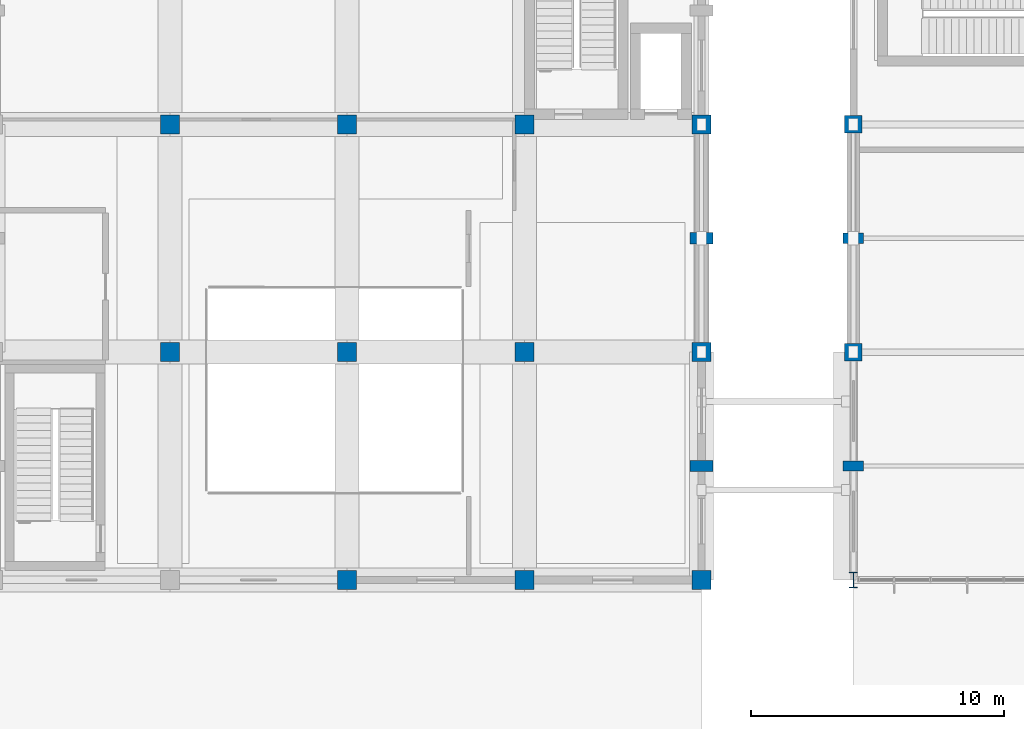
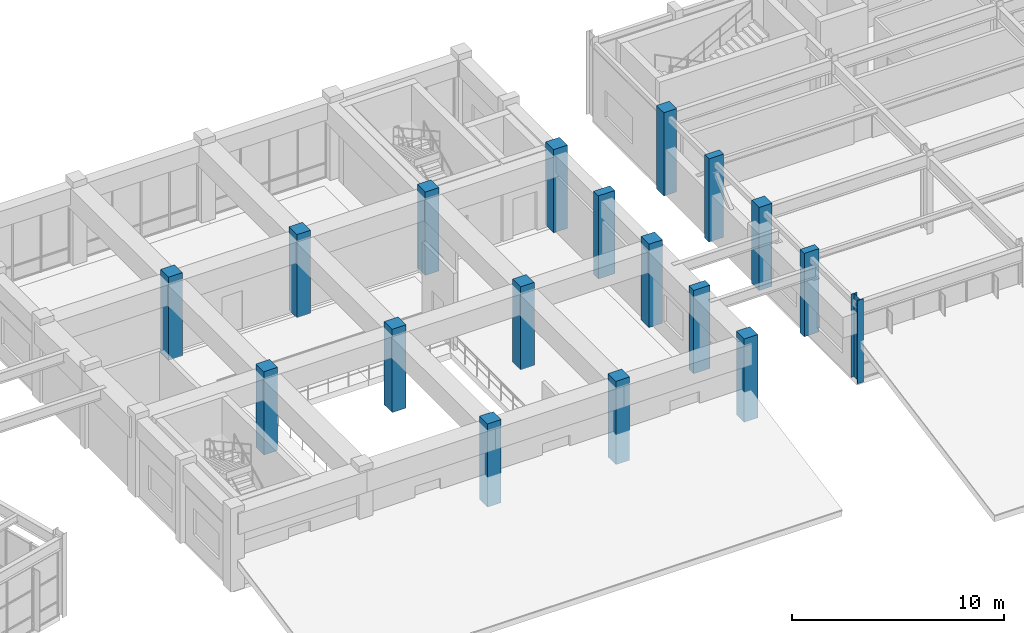
# One storey, part 5 of 104: 18 columns.
"""IFC4 building model written with IfcOpenShell, lengths in metres."""

from ifc_helpers import new_model, si_unit, direction, frame, origin, origin_2d, place, context, subcontext, project, spatial, rectangle, i_section, extrude, material, material_profile, profile_set, type_object, element, save


model = new_model("IFC4")

# Units and contexts
model_context = context("Model", 3, precision=1e-05, world=origin(), true_north=direction((0.0, 1.0)))
body_context = subcontext(model_context, "Body", "Model", "MODEL_VIEW")
ifc_project = project(units=[si_unit("LENGTHUNIT", "METRE"), si_unit("AREAUNIT", "SQUARE_METRE"), si_unit("VOLUMEUNIT", "CUBIC_METRE"), si_unit("PLANEANGLEUNIT", "RADIAN"), si_unit("MASSUNIT", "GRAM", prefix="KILO")], contexts=[model_context])

# Site, building, storey
site_placement = place(None, origin())
site = spatial("IfcSite", under=ifc_project, at=site_placement, CompositionType="ELEMENT")
building_placement = place(site_placement, origin())
building = spatial("IfcBuilding", under=site, at=building_placement, Name="Ventoquebrada Cableway Terminal", CompositionType="ELEMENT")
storey_placement = place(building_placement, frame((0.0, 0.0, 4.800048828125)))
storey = spatial("IfcBuildingStorey", under=building, at=storey_placement, Name="L01", CompositionType="ELEMENT", Elevation=4.800048828125)

# Columns
ifc_material_1 = material(Name="Concrete C40/50", Category="concrete")
ifc_material_profile_1 = material_profile(ifc_material_1, rectangle(XDim=0.699951171875, YDim=0.699951171875, at=origin_2d()), Name="RC-COL-700X700")
ifc_profile_set_1 = profile_set([ifc_material_profile_1], Name="Concrete C40/50")
column_type_1 = type_object("IfcColumnType", Name="COL-RC04", PredefinedType="COLUMN", material=ifc_profile_set_1)
for number, where, z_axis, x_axis, name in (
    (1, (129.0, 86.0, 0.0), (0.0, 0.0, 1.0), (1.0, 0.0, 0.0), "Structural column FC-0532"),
    (2, (129.0, 95.0, 0.0), (0.0, 0.0, 1.0), (1.0, 0.0, 0.0), "Structural column FC-0536"),
):
    element("IfcColumn", number, at=place(storey_placement, frame(where, z_axis=z_axis, x_axis=x_axis)), inside=storey, type_object=column_type_1, Name=name, PredefinedType="COLUMN", context=body_context, shape_type="SweptSolid", body=[
        extrude(rectangle(XDim=0.699951171875, YDim=0.699951171875, at=origin_2d()), origin(), (0.0, 0.0, 1.0), 4.800048828125),
    ])
ifc_material_profile_2 = material_profile(ifc_material_1, rectangle(XDim=0.75, YDim=0.75, at=origin_2d()), Name="RC-COL-750X750")
ifc_profile_set_2 = profile_set([ifc_material_profile_2], Name="Concrete C40/50")
column_type_2 = type_object("IfcColumnType", Name="COL-RC05", PredefinedType="COLUMN", material=ifc_profile_set_2)
for number, where, z_axis, x_axis, name in (
    (3, (102.0, 86.0, 0.0), (0.0, 0.0, 1.0), (1.0, 0.0, 0.0), "Structural column FC-0430"),
    (4, (102.0, 95.0, 0.0), (0.0, 0.0, 1.0), (1.0, 0.0, 0.0), "Structural column FC-0434"),
    (5, (109.0, 77.0, 0.0), (0.0, 0.0, 1.0), (1.0, 0.0, 0.0), "Structural column FC-0444"),
    (6, (109.0, 86.0, 0.0), (0.0, 0.0, 1.0), (1.0, 0.0, 0.0), "Structural column FC-0448"),
    (7, (109.0, 95.0, 0.0), (0.0, 0.0, 1.0), (1.0, 0.0, 0.0), "Structural column FC-0452"),
    (8, (116.0, 77.0, 0.0), (0.0, 0.0, 1.0), (1.0, 0.0, 0.0), "Structural column FC-0462"),
    (9, (116.0, 86.0, 0.0), (0.0, 0.0, 1.0), (1.0, 0.0, 0.0), "Structural column FC-0466"),
    (10, (116.0, 95.0, 0.0), (0.0, 0.0, 1.0), (1.0, 0.0, 0.0), "Structural column FC-0470"),
    (11, (123.0, 77.0, 0.0), (0.0, 0.0, 1.0), (1.0, 0.0, 0.0), "Structural column FC-0480"),
    (12, (123.0, 86.0, 0.0), (0.0, 0.0, 1.0), (1.0, 0.0, 0.0), "Structural column FC-0484"),
    (13, (123.0, 95.0, 0.0), (0.0, 0.0, 1.0), (1.0, 0.0, 0.0), "Structural column FC-0488"),
):
    element("IfcColumn", number, at=place(storey_placement, frame(where, z_axis=z_axis, x_axis=x_axis)), inside=storey, type_object=column_type_2, Name=name, PredefinedType="COLUMN", context=body_context, shape_type="SweptSolid", body=[
        extrude(rectangle(XDim=0.75, YDim=0.75, at=origin_2d()), origin(), (0.0, 0.0, 1.0), 4.800048828125),
    ])
ifc_material_2 = material(Name="Steel ASTM A992 Grade 50", Category="steel")
ifc_material_profile_3 = material_profile(ifc_material_2, i_section(OverallWidth=0.327880859375, OverallDepth=0.6220703125, WebThickness=0.015380859375, FlangeThickness=0.0244140625, at=origin_2d()), Name="W24X131")
ifc_profile_set_3 = profile_set([ifc_material_profile_3], Name="Steel ASTM A992 Grade 50")
column_type_3 = type_object("IfcColumnType", Name="COL-ST02", PredefinedType="COLUMN", material=ifc_profile_set_3)
column_placement = place(storey_placement, frame((129.0, 77.0, 0.0), z_axis=(0.0, 0.0, 1.0), x_axis=(1.0, 0.0, 0.0)))
element("IfcColumn", 14, at=column_placement, inside=storey, type_object=column_type_3, Name="Structural column FC-0528", PredefinedType="COLUMN", context=body_context, shape_type="SweptSolid", body=[
    extrude(i_section(OverallWidth=0.327880859375, OverallDepth=0.6220703125, WebThickness=0.015380859375, FlangeThickness=0.0244140625, at=origin_2d()), origin(), (0.0, 0.0, 1.0), 4.800048828125),
])
ifc_material_profile_4 = material_profile(ifc_material_1, rectangle(XDim=0.39990234375, YDim=0.800048828125, at=origin_2d()), Name="RC-PIL-400X800")
ifc_profile_set_4 = profile_set([ifc_material_profile_4], Name="Concrete C40/50")
column_type_4 = type_object("IfcColumnType", Name="PIL-RC01", PredefinedType="PILASTER", material=ifc_profile_set_4)
for number, where, z_axis, x_axis, name in (
    (15, (129.0, 81.5, 0.0), (0.0, 0.0, 1.0), (0.0, 1.0, 0.0), "Facade pilaster FPL-0640"),
    (16, (129.0, 90.5, 0.0), (0.0, 0.0, 1.0), (0.0, 1.0, 0.0), "Facade pilaster FPL-0644"),
):
    element("IfcColumn", number, at=place(storey_placement, frame(where, z_axis=z_axis, x_axis=x_axis)), inside=storey, type_object=column_type_4, Name=name, PredefinedType="PILASTER", context=body_context, shape_type="SweptSolid", body=[
        extrude(rectangle(XDim=0.39990234375, YDim=0.800048828125, at=origin_2d()), origin(), (0.0, 0.0, 1.0), 4.800048828125),
    ])
ifc_material_profile_5 = material_profile(ifc_material_1, rectangle(XDim=0.449951171875, YDim=0.89990234375, at=origin_2d()), Name="RC-PIL-450X900")
ifc_profile_set_5 = profile_set([ifc_material_profile_5], Name="Concrete C40/50")
column_type_5 = type_object("IfcColumnType", Name="PIL-RC02", PredefinedType="PILASTER", material=ifc_profile_set_5)
for number, where, z_axis, x_axis, name in (
    (17, (123.0, 81.5, 0.0), (0.0, 0.0, 1.0), (0.0, 1.0, 0.0), "Facade pilaster FPL-0512"),
    (18, (123.0, 90.5, 0.0), (0.0, 0.0, 1.0), (0.0, 1.0, 0.0), "Facade pilaster FPL-0516"),
):
    element("IfcColumn", number, at=place(storey_placement, frame(where, z_axis=z_axis, x_axis=x_axis)), inside=storey, type_object=column_type_5, Name=name, PredefinedType="PILASTER", context=body_context, shape_type="SweptSolid", body=[
        extrude(rectangle(XDim=0.449951171875, YDim=0.89990234375, at=origin_2d()), origin(), (0.0, 0.0, 1.0), 4.800048828125),
    ])

save(model, "model.ifc")
